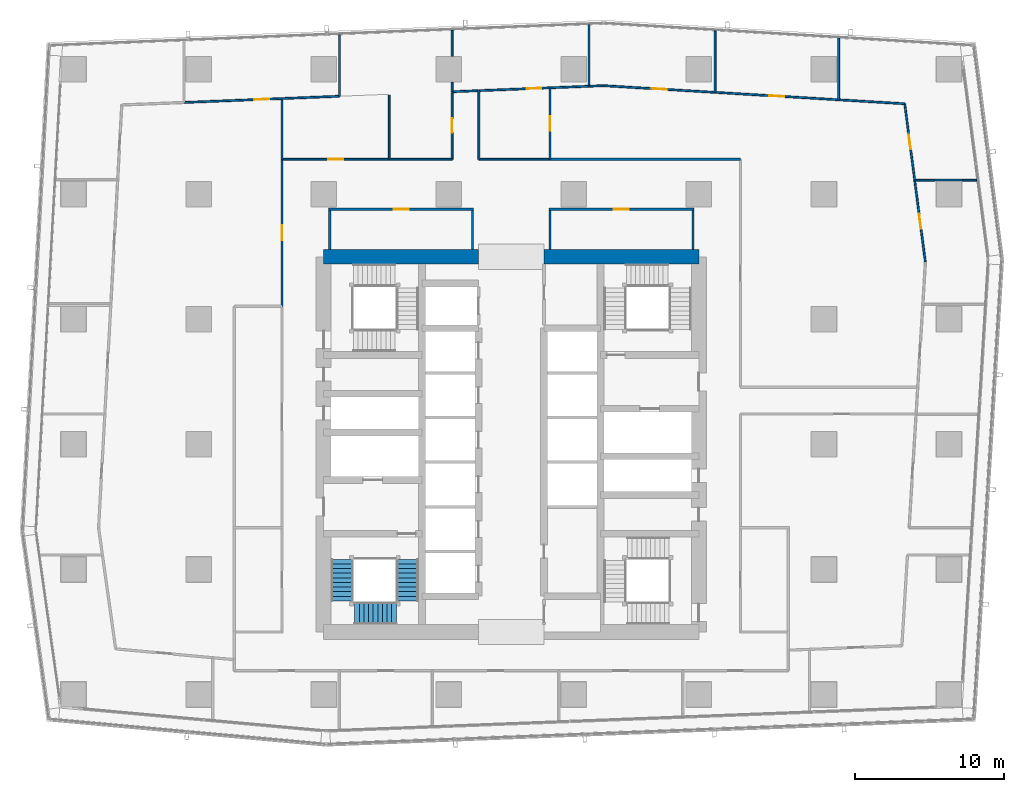
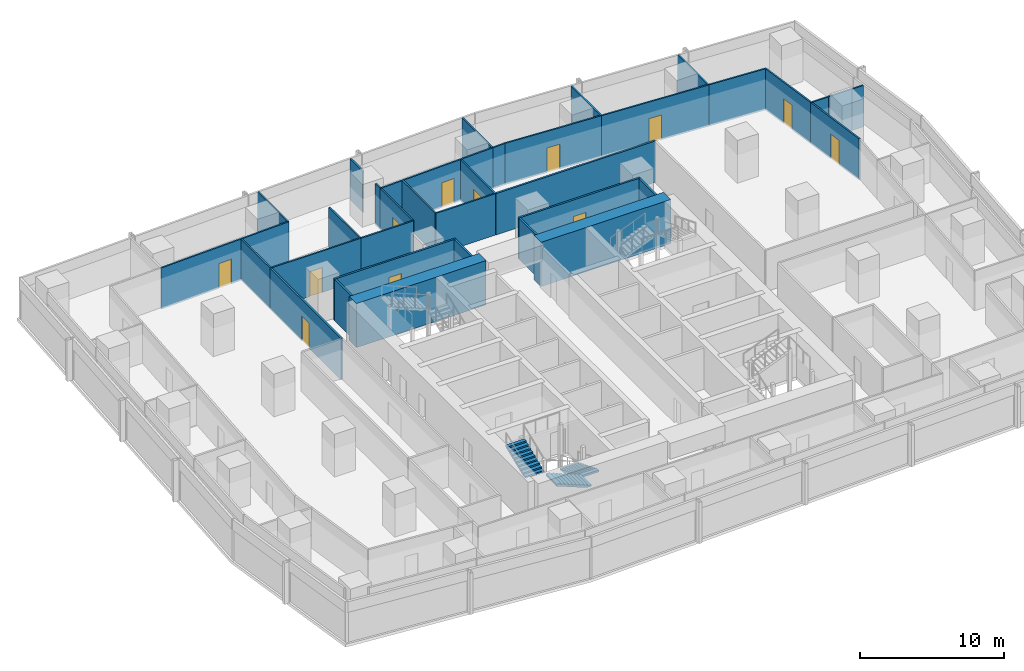
# One storey, part 31 of 40: 36 walls, 12 doors, 3 stair flights, 12 openings, 1 element without a shape of its own.
"""IFC4 building model written with IfcOpenShell, lengths in metres."""

from ifc_helpers import new_model, si_unit, direction, frame, frame_2d, origin, place, context, subcontext, project, spatial, polyline, rectangle, outline, extrude, material, layer, layer_set, type_object, element, fill, aggregate, save


model = new_model("IFC4")

# Units and contexts
model_context = context("Model", 3, precision=1e-05, world=origin(), true_north=direction((0.0, 1.0)))
body_context = subcontext(model_context, "Body", "Model", "MODEL_VIEW")
ifc_project = project(units=[si_unit("LENGTHUNIT", "METRE"), si_unit("AREAUNIT", "SQUARE_METRE"), si_unit("VOLUMEUNIT", "CUBIC_METRE"), si_unit("PLANEANGLEUNIT", "RADIAN"), si_unit("MASSUNIT", "GRAM", prefix="KILO")], contexts=[model_context])

# Site, building, storey
site_placement = place(None, origin())
site = spatial("IfcSite", under=ifc_project, at=site_placement, CompositionType="ELEMENT")
building_placement = place(site_placement, origin())
building = spatial("IfcBuilding", under=site, at=building_placement, Name="Rekha Terrace Tower", CompositionType="ELEMENT")
storey_placement = place(building_placement, frame((0.0, 0.0, 125.300048828125)))
storey = spatial("IfcBuildingStorey", under=building, at=storey_placement, Name="L31", CompositionType="ELEMENT", Elevation=125.300048828125)

# Walls
ifc_material_1 = material(Name="Concrete M70", Category="concrete")
ifc_layer_1 = layer(ifc_material_1, 1.0)
ifc_layer_set_1 = layer_set([ifc_layer_1], Name="Concrete M70")
wall_type_1 = type_object("IfcWallType", Name="SW2 1000 core outer shear wall", PredefinedType="SHEAR", material=ifc_layer_set_1)
wall_1_placement = place(storey_placement, frame((25.199951171875, 46.199951171875, 0.0), z_axis=(0.0, 0.0, 1.0), x_axis=(1.0, 0.0, 0.0)))
element("IfcWall", 1, at=wall_1_placement, inside=storey, type_object=wall_type_1, Name="Core wall N1 L31", PredefinedType="SHEAR", context=body_context, shape_type="SweptSolid", body=[
    extrude(rectangle(XDim=10.400146484375, YDim=1.0, at=frame_2d((5.2001953125, 0.0))), origin(), (0.0, 0.0, 1.0), 3.75),
])
wall_2_placement = place(storey_placement, frame((40.0, 46.199951171875, 0.0), z_axis=(0.0, 0.0, 1.0), x_axis=(1.0, 0.0, 0.0)))
element("IfcWall", 2, at=wall_2_placement, inside=storey, type_object=wall_type_1, Name="Core wall N2 L31", PredefinedType="SHEAR", context=body_context, shape_type="SweptSolid", body=[
    extrude(rectangle(XDim=10.39990234375, YDim=1.0, at=frame_2d((5.199951171875, 0.0))), origin(), (0.0, 0.0, 1.0), 3.75),
])

# Wall, opening, door
ifc_material_2 = material(Name="Concrete block masonry, 1 hour", Category="masonry")
ifc_layer_2 = layer(ifc_material_2, 0.14990234375)
ifc_layer_set_2 = layer_set([ifc_layer_2], Name="Concrete block masonry, 1 hour")
wall_type_2 = type_object("IfcWallType", Name="WP2 150 tenancy partition", PredefinedType="PARTITIONING", material=ifc_layer_set_2)
wall_3_placement = place(storey_placement, frame((40.324951171875, 49.39990234375, 0.0), z_axis=(0.0, 0.0, 1.0), x_axis=(1.0, 0.0, 0.0)))
wall_3 = element("IfcWall", 3, at=wall_3_placement, inside=storey, type_object=wall_type_2, Name="Women's WC wall L31", PredefinedType="PARTITIONING", context=body_context, shape_type="SweptSolid", body=[
    extrude(rectangle(XDim=9.75, YDim=0.14990234375, at=frame_2d((4.875, 0.0))), origin(), (0.0, 0.0, 1.0), 3.5),
])
opening_1_placement = place(wall_3_placement, frame((4.375, 0.0, 0.0)))
opening_1 = element("IfcOpeningElement", 4, at=opening_1_placement, cuts=wall_3, Name="Opening D3", PredefinedType="OPENING", context=body_context, shape_type="SweptSolid", body=[
    extrude(rectangle(XDim=1.0, YDim=2.10009765625, at=frame_2d((0.5, 1.050048828125))), frame((0.0, 0.0849609375, 0.0), z_axis=(0.0, -1.0, 0.0), x_axis=(1.0, 0.0, 0.0)), (0.0, 0.0, 1.0), 0.169921875),
])
ifc_material_3 = material(Name="Laminated timber fire door", Category="wood")
door_type_1 = type_object("IfcDoorType", Name="D3 1000x2100 WC door", OperationType="SINGLE_SWING_LEFT", PredefinedType="DOOR", material=ifc_material_3)
door_1_placement = place(opening_1_placement, origin())
door_1 = element("IfcDoor", 5, at=door_1_placement, inside=storey, type_object=door_type_1, Name="Door women's wc L31", OperationType="SINGLE_SWING_LEFT", OverallHeight=2.10009765625, OverallWidth=1.0, PredefinedType="DOOR", context=body_context, shape_type="SweptSolid", body=[
    extrude(rectangle(XDim=1.0, YDim=2.10009765625, at=frame_2d((0.5, 1.050048828125))), frame((0.0, 0.02490234375, 0.0), z_axis=(0.0, -1.0, 0.0), x_axis=(1.0, 0.0, 0.0)), (0.0, 0.0, 1.0), 0.050048828125),
])
fill(opening_1, door_1)

# Walls
for number, where, z_axis, x_axis, name in (
    (6, (40.39990234375, 46.699951171875, 0.0), (0.0, 0.0, 1.0), (0.0, 1.0, 0.0), "Women's WC wall L31"),
    (7, (50.0, 46.699951171875, 0.0), (0.0, 0.0, 1.0), (0.0, 1.0, 0.0), "Women's WC wall L31"),
):
    element("IfcWall", number, at=place(storey_placement, frame(where, z_axis=z_axis, x_axis=x_axis)), inside=storey, type_object=wall_type_2, Name=name, PredefinedType="PARTITIONING", context=body_context, shape_type="SweptSolid", body=[
        extrude(rectangle(XDim=2.625, YDim=0.14990234375, at=frame_2d((1.3125, 0.0))), origin(), (0.0, 0.0, 1.0), 3.5),
    ])

# Wall, opening, door
wall_4_placement = place(storey_placement, frame((25.52490234375, 49.39990234375, 0.0), z_axis=(0.0, 0.0, 1.0), x_axis=(1.0, 0.0, 0.0)))
wall_4 = element("IfcWall", 8, at=wall_4_placement, inside=storey, type_object=wall_type_2, Name="Women's WC wall L31", PredefinedType="PARTITIONING", context=body_context, shape_type="SweptSolid", body=[
    extrude(rectangle(XDim=9.75, YDim=0.14990234375, at=frame_2d((4.875, 0.0))), origin(), (0.0, 0.0, 1.0), 3.5),
])
opening_2_placement = place(wall_4_placement, frame((4.375, 0.0, 0.0)))
opening_2 = element("IfcOpeningElement", 9, at=opening_2_placement, cuts=wall_4, Name="Opening D3", PredefinedType="OPENING", context=body_context, shape_type="SweptSolid", body=[
    extrude(rectangle(XDim=1.0, YDim=2.10009765625, at=frame_2d((0.5, 1.050048828125))), frame((0.0, 0.0849609375, 0.0), z_axis=(0.0, -1.0, 0.0), x_axis=(1.0, 0.0, 0.0)), (0.0, 0.0, 1.0), 0.169921875),
])
door_2_placement = place(opening_2_placement, origin())
door_2 = element("IfcDoor", 10, at=door_2_placement, inside=storey, type_object=door_type_1, Name="Door women's wc L31", OperationType="SINGLE_SWING_LEFT", OverallHeight=2.10009765625, OverallWidth=1.0, PredefinedType="DOOR", context=body_context, shape_type="SweptSolid", body=[
    extrude(rectangle(XDim=1.0, YDim=2.10009765625, at=frame_2d((0.5, 1.050048828125))), frame((0.0, 0.02490234375, 0.0), z_axis=(0.0, -1.0, 0.0), x_axis=(1.0, 0.0, 0.0)), (0.0, 0.0, 1.0), 0.050048828125),
])
fill(opening_2, door_2)

# Walls
for number, where, z_axis, x_axis, name in (
    (11, (25.60009765625, 46.699951171875, 0.0), (0.0, 0.0, 1.0), (0.0, 1.0, 0.0), "Women's WC wall L31"),
    (12, (35.199951171875, 46.699951171875, 0.0), (0.0, 0.0, 1.0), (0.0, 1.0, 0.0), "Women's WC wall L31"),
):
    element("IfcWall", number, at=place(storey_placement, frame(where, z_axis=z_axis, x_axis=x_axis)), inside=storey, type_object=wall_type_2, Name=name, PredefinedType="PARTITIONING", context=body_context, shape_type="SweptSolid", body=[
        extrude(rectangle(XDim=2.625, YDim=0.14990234375, at=frame_2d((1.3125, 0.0))), origin(), (0.0, 0.0, 1.0), 3.5),
    ])
wall_5_placement = place(storey_placement, frame((66.260009765625, 51.35498046875, 0.0), z_axis=(0.0, 0.0, 1.0), x_axis=(1.0, 0.0, 0.0)))
element("IfcWall", 13, at=wall_5_placement, inside=storey, type_object=wall_type_2, Name="Partition L31-O1", PredefinedType="PARTITIONING", context=body_context, shape_type="SweptSolid", body=[
    extrude(rectangle(XDim=1.8798828125, YDim=0.14990234375, at=frame_2d((0.93994140625, 0.0))), origin(), (0.0, 0.0, 1.0), 3.5),
])
wall_6_placement = place(storey_placement, frame((53.199951171875, 52.75, 0.0), z_axis=(0.0, 0.0, 1.0), x_axis=(-1.0, 0.0, 0.0)))
element("IfcWall", 14, at=wall_6_placement, inside=storey, type_object=wall_type_2, Name="Partition L31-O1", PredefinedType="PARTITIONING", context=body_context, shape_type="SweptSolid", body=[
    extrude(rectangle(XDim=12.800048828125, YDim=0.14990234375, at=frame_2d((6.39990234375, 0.0))), origin(), (0.0, 0.0, 1.0), 3.5),
])

# Wall, opening, door
wall_7_placement = place(storey_placement, frame((22.39990234375, 52.75, 0.0), z_axis=(0.0, 0.0, 1.0), x_axis=(0.0, -1.0, 0.0)))
wall_7 = element("IfcWall", 15, at=wall_7_placement, inside=storey, type_object=wall_type_2, Name="Partition L31-O1c", PredefinedType="PARTITIONING", context=body_context, shape_type="SweptSolid", body=[
    extrude(rectangle(XDim=9.876953125, YDim=0.14990234375, at=frame_2d((4.9384765625, 0.0))), origin(), (0.0, 0.0, 1.0), 3.5),
])
opening_3_placement = place(wall_7_placement, frame((4.43896484375, 0.0, 0.0)))
opening_3 = element("IfcOpeningElement", 16, at=opening_3_placement, cuts=wall_7, Name="Opening D9", PredefinedType="OPENING", context=body_context, shape_type="SweptSolid", body=[
    extrude(rectangle(XDim=1.0, YDim=2.10009765625, at=frame_2d((0.5, 1.050048828125))), frame((0.0, 0.0849609375, 0.0), z_axis=(0.0, -1.0, 0.0), x_axis=(1.0, 0.0, 0.0)), (0.0, 0.0, 1.0), 0.169921875),
])
ifc_material_4 = material(Name="Timber fire door", Category="wood")
door_type_2 = type_object("IfcDoorType", Name="D9 1000x2100 office door", OperationType="SINGLE_SWING_LEFT", PredefinedType="DOOR", material=ifc_material_4)
door_3_placement = place(opening_3_placement, origin())
door_3 = element("IfcDoor", 17, at=door_3_placement, inside=storey, type_object=door_type_2, Name="Door open-plan office L31", OperationType="SINGLE_SWING_LEFT", OverallHeight=2.10009765625, OverallWidth=1.0, PredefinedType="DOOR", context=body_context, shape_type="SweptSolid", body=[
    extrude(rectangle(XDim=1.0, YDim=2.10009765625, at=frame_2d((0.5, 1.050048828125))), frame((0.0, 0.02490234375, 0.0), z_axis=(0.0, -1.0, 0.0), x_axis=(1.0, 0.0, 0.0)), (0.0, 0.0, 1.0), 0.050048828125),
])
fill(opening_3, door_3)

# Walls
ifc_material_5 = material(Name="Two layers of fire-rated gypsum board each side on steel studs, acoustic quilt, 1 hour", Category="steel")
ifc_layer_3 = layer(ifc_material_5, 0.125)
ifc_layer_set_3 = layer_set([ifc_layer_3], Name="Two layers of fire-rated gypsum board each side on steel studs, acoustic quilt, 1 hour")
wall_type_3 = type_object("IfcWallType", Name="WP3 125 office partition", PredefinedType="PARTITIONING", material=ifc_layer_set_3)
wall_8_placement = place(storey_placement, frame((64.902099609375, 51.337890625, 0.0), z_axis=(0.0, 0.0, 1.0), x_axis=(1.0, 0.0, 0.0)))
element("IfcWall", 18, at=wall_8_placement, inside=storey, type_object=wall_type_3, Name="Partition L31-04", PredefinedType="PARTITIONING", context=body_context, shape_type="SweptSolid", body=[
    extrude(rectangle(XDim=1.35791015625, YDim=0.125, at=frame_2d((0.678955078125, 0.0))), origin(), (0.0, 0.0, 1.0), 3.5),
])
wall_9_placement = place(storey_placement, frame((68.139892578125, 51.337890625, 0.0), z_axis=(0.0, 0.0, 1.0), x_axis=(1.0, 0.0, 0.0)))
element("IfcWall", 19, at=wall_9_placement, inside=storey, type_object=wall_type_3, Name="Partition L31-04", PredefinedType="PARTITIONING", context=body_context, shape_type="SweptSolid", body=[
    extrude(rectangle(XDim=0.9169921875, YDim=0.125, at=frame_2d((0.45849609375, 0.0))), origin(), (0.0, 0.0, 1.0), 3.5),
])

# Wall, opening, door
wall_10_placement = place(storey_placement, frame((65.618896484375, 45.827880859375, 0.0), z_axis=(0.0, 0.0, 1.0), x_axis=(-0.129002942223, 0.991644210843, 0.0)))
wall_10 = element("IfcWall", 20, at=wall_10_placement, inside=storey, type_object=wall_type_3, Name="Partition L31-04", PredefinedType="PARTITIONING", context=body_context, shape_type="SweptSolid", body=[
    extrude(rectangle(XDim=5.556396484375, YDim=0.125, at=frame_2d((2.7783203125, 0.0))), origin(), (0.0, 0.0, 1.0), 3.5),
])
opening_4_placement = place(wall_10_placement, frame((2.278076171875, 0.0, 0.0)))
opening_4 = element("IfcOpeningElement", 21, at=opening_4_placement, cuts=wall_10, Name="Opening D9", PredefinedType="OPENING", context=body_context, shape_type="SweptSolid", body=[
    extrude(rectangle(XDim=1.0, YDim=2.10009765625, at=frame_2d((0.5, 1.050048828125))), frame((0.0, 0.072509765625, 0.0), z_axis=(0.0, -1.0, 0.0), x_axis=(1.0, 0.0, 0.0)), (0.0, 0.0, 1.0), 0.14501953125),
])
door_4_placement = place(opening_4_placement, origin())
door_4 = element("IfcDoor", 22, at=door_4_placement, inside=storey, type_object=door_type_2, Name="Door office L31", OperationType="SINGLE_SWING_LEFT", OverallHeight=2.10009765625, OverallWidth=1.0, PredefinedType="DOOR", context=body_context, shape_type="SweptSolid", body=[
    extrude(rectangle(XDim=1.0, YDim=2.10009765625, at=frame_2d((0.5, 1.050048828125))), frame((0.0, 0.02490234375, 0.0), z_axis=(0.0, -1.0, 0.0), x_axis=(1.0, 0.0, 0.0)), (0.0, 0.0, 1.0), 0.050048828125),
])
fill(opening_4, door_4)

# Wall
wall_11_placement = place(storey_placement, frame((59.7880859375, 56.74609375, 0.0), z_axis=(0.0, 0.0, 1.0), x_axis=(0.0, 1.0, 0.0)))
element("IfcWall", 23, at=wall_11_placement, inside=storey, type_object=wall_type_3, Name="Partition L31-05", PredefinedType="PARTITIONING", context=body_context, shape_type="SweptSolid", body=[
    extrude(rectangle(XDim=4.156982421875, YDim=0.125, at=frame_2d((2.07861328125, 0.0))), origin(), (0.0, 0.0, 1.0), 3.5),
])

# Wall, opening, door
wall_12_placement = place(storey_placement, frame((64.902099609375, 51.339111328125, 0.0), z_axis=(0.0, 0.0, 1.0), x_axis=(-0.129290857756, 0.991606713421, 0.0)))
wall_12 = element("IfcWall", 24, at=wall_12_placement, inside=storey, type_object=wall_type_3, Name="Partition L31-05", PredefinedType="PARTITIONING", context=body_context, shape_type="SweptSolid", body=[
    extrude(rectangle(XDim=5.183349609375, YDim=0.125, at=frame_2d((2.591796875, 0.0))), origin(), (0.0, 0.0, 1.0), 3.5),
])
opening_5_placement = place(wall_12_placement, frame((2.092041015625, 0.0, 0.0)))
opening_5 = element("IfcOpeningElement", 25, at=opening_5_placement, cuts=wall_12, Name="Opening D9", PredefinedType="OPENING", context=body_context, shape_type="SweptSolid", body=[
    extrude(rectangle(XDim=1.0, YDim=2.10009765625, at=frame_2d((0.5, 1.050048828125))), frame((0.0, 0.072509765625, 0.0), z_axis=(0.0, -1.0, 0.0), x_axis=(1.0, 0.0, 0.0)), (0.0, 0.0, 1.0), 0.14501953125),
])
door_5_placement = place(opening_5_placement, origin())
door_5 = element("IfcDoor", 26, at=door_5_placement, inside=storey, type_object=door_type_2, Name="Door director's office L31", OperationType="SINGLE_SWING_LEFT", OverallHeight=2.10009765625, OverallWidth=1.0, PredefinedType="DOOR", context=body_context, shape_type="SweptSolid", body=[
    extrude(rectangle(XDim=1.0, YDim=2.10009765625, at=frame_2d((0.5, 1.050048828125))), frame((0.0, 0.02490234375, 0.0), z_axis=(0.0, -1.0, 0.0), x_axis=(1.0, 0.0, 0.0)), (0.0, 0.0, 1.0), 0.050048828125),
])
fill(opening_5, door_5)

# Wall
wall_13_placement = place(storey_placement, frame((64.23193359375, 56.47900390625, 0.0), z_axis=(0.0, 0.0, 1.0), x_axis=(-0.998198676411, 0.059995019888, 0.0)))
element("IfcWall", 27, at=wall_13_placement, inside=storey, type_object=wall_type_3, Name="Partition L31-05", PredefinedType="PARTITIONING", context=body_context, shape_type="SweptSolid", body=[
    extrude(rectangle(XDim=4.451904296875, YDim=0.125, at=frame_2d((2.22607421875, 0.0))), origin(), (0.0, 0.0, 1.0), 3.5),
])

# Wall, opening, door
wall_14_placement = place(storey_placement, frame((59.787109375, 56.74609375, 0.0), z_axis=(0.0, 0.0, 1.0), x_axis=(-0.99820280668, 0.05992626083, 0.0)))
wall_14 = element("IfcWall", 28, at=wall_14_placement, inside=storey, type_object=wall_type_3, Name="Partition L31-06", PredefinedType="PARTITIONING", context=body_context, shape_type="SweptSolid", body=[
    extrude(rectangle(XDim=8.306884765625, YDim=0.125, at=frame_2d((4.1533203125, 0.0))), origin(), (0.0, 0.0, 1.0), 3.5),
])
opening_6_placement = place(wall_14_placement, frame((3.653076171875, 0.0, 0.0)))
opening_6 = element("IfcOpeningElement", 29, at=opening_6_placement, cuts=wall_14, Name="Opening D9", PredefinedType="OPENING", context=body_context, shape_type="SweptSolid", body=[
    extrude(rectangle(XDim=1.0, YDim=2.10009765625, at=frame_2d((0.5, 1.050048828125))), frame((0.0, 0.072509765625, 0.0), z_axis=(0.0, -1.0, 0.0), x_axis=(1.0, 0.0, 0.0)), (0.0, 0.0, 1.0), 0.14501953125),
])
door_6_placement = place(opening_6_placement, origin())
door_6 = element("IfcDoor", 30, at=door_6_placement, inside=storey, type_object=door_type_2, Name="Door office L31", OperationType="SINGLE_SWING_LEFT", OverallHeight=2.10009765625, OverallWidth=1.0, PredefinedType="DOOR", context=body_context, shape_type="SweptSolid", body=[
    extrude(rectangle(XDim=1.0, YDim=2.10009765625, at=frame_2d((0.5, 1.050048828125))), frame((0.0, 0.02490234375, 0.0), z_axis=(0.0, -1.0, 0.0), x_axis=(1.0, 0.0, 0.0)), (0.0, 0.0, 1.0), 0.050048828125),
])
fill(opening_6, door_6)

# Walls
wall_15_placement = place(storey_placement, frame((51.4951171875, 57.243896484375, 0.0), z_axis=(0.0, 0.0, 1.0), x_axis=(0.0, 1.0, 0.0)))
element("IfcWall", 31, at=wall_15_placement, inside=storey, type_object=wall_type_3, Name="Partition L31-06", PredefinedType="PARTITIONING", context=body_context, shape_type="SweptSolid", body=[
    extrude(rectangle(XDim=4.128173828125, YDim=0.125, at=frame_2d((2.06396484375, 0.0))), origin(), (0.0, 0.0, 1.0), 3.5),
])
wall_16_placement = place(storey_placement, frame((43.02392578125, 57.656005859375, 0.0), z_axis=(0.0, 0.0, 1.0), x_axis=(0.0, 1.0, 0.0)))
element("IfcWall", 32, at=wall_16_placement, inside=storey, type_object=wall_type_3, Name="Partition L31-07", PredefinedType="PARTITIONING", context=body_context, shape_type="SweptSolid", body=[
    extrude(rectangle(XDim=4.153076171875, YDim=0.125, at=frame_2d((2.07666015625, 0.0))), origin(), (0.0, 0.0, 1.0), 3.5),
])

# Wall, opening, door
wall_17_placement = place(storey_placement, frame((51.493896484375, 57.243896484375, 0.0), z_axis=(0.0, 0.0, 1.0), x_axis=(-0.998194453933, 0.060065232355, 0.0)))
wall_17 = element("IfcWall", 33, at=wall_17_placement, inside=storey, type_object=wall_type_3, Name="Partition L31-07", PredefinedType="PARTITIONING", context=body_context, shape_type="SweptSolid", body=[
    extrude(rectangle(XDim=7.511474609375, YDim=0.125, at=frame_2d((3.755859375, 0.0))), origin(), (0.0, 0.0, 1.0), 3.5),
])
opening_7_placement = place(wall_17_placement, frame((3.256103515625, 0.0, 0.0)))
opening_7 = element("IfcOpeningElement", 34, at=opening_7_placement, cuts=wall_17, Name="Opening D9", PredefinedType="OPENING", context=body_context, shape_type="SweptSolid", body=[
    extrude(rectangle(XDim=1.0, YDim=2.10009765625, at=frame_2d((0.5, 1.050048828125))), frame((0.0, 0.072509765625, 0.0), z_axis=(0.0, -1.0, 0.0), x_axis=(1.0, 0.0, 0.0)), (0.0, 0.0, 1.0), 0.14501953125),
])
door_7_placement = place(opening_7_placement, origin())
door_7 = element("IfcDoor", 35, at=door_7_placement, inside=storey, type_object=door_type_2, Name="Door office L31", OperationType="SINGLE_SWING_LEFT", OverallHeight=2.10009765625, OverallWidth=1.0, PredefinedType="DOOR", context=body_context, shape_type="SweptSolid", body=[
    extrude(rectangle(XDim=1.0, YDim=2.10009765625, at=frame_2d((0.5, 1.050048828125))), frame((0.0, 0.02490234375, 0.0), z_axis=(0.0, -1.0, 0.0), x_axis=(1.0, 0.0, 0.0)), (0.0, 0.0, 1.0), 0.050048828125),
])
fill(opening_7, door_7)

# Walls
wall_18_placement = place(storey_placement, frame((43.99609375, 57.695068359375, 0.0), z_axis=(0.0, 0.0, 1.0), x_axis=(-0.99919372727, -0.040148416967, 0.0)))
element("IfcWall", 36, at=wall_18_placement, inside=storey, type_object=wall_type_3, Name="Partition L31-07", PredefinedType="PARTITIONING", context=body_context, shape_type="SweptSolid", body=[
    extrude(rectangle(XDim=0.972900390625, YDim=0.125, at=frame_2d((0.486328125, 0.0))), origin(), (0.0, 0.0, 1.0), 3.5),
])
wall_19_placement = place(storey_placement, frame((35.56298828125, 57.35693359375, 0.0), z_axis=(0.0, 0.0, 1.0), x_axis=(-0.999191272238, -0.04020947008, 0.0)))
element("IfcWall", 37, at=wall_19_placement, inside=storey, type_object=wall_type_3, Name="Partition L31-08", PredefinedType="PARTITIONING", context=body_context, shape_type="SweptSolid", body=[
    extrude(rectangle(XDim=1.736572265625, YDim=0.125, at=frame_2d((0.8681640625, 0.0))), origin(), (0.0, 0.0, 1.0), 3.5),
])
wall_20_placement = place(storey_placement, frame((33.827880859375, 57.287109375, 0.0), z_axis=(0.0, 0.0, 1.0), x_axis=(0.0, 1.0, 0.0)))
element("IfcWall", 38, at=wall_20_placement, inside=storey, type_object=wall_type_3, Name="Partition L31-08", PredefinedType="PARTITIONING", context=body_context, shape_type="SweptSolid", body=[
    extrude(rectangle(XDim=0.642822265625, YDim=0.125, at=frame_2d((0.3212890625, 0.0))), origin(), (0.0, 0.0, 1.0), 3.5),
])
wall_21_placement = place(storey_placement, frame((33.827880859375, 59.669921875, 0.0), z_axis=(0.0, 0.0, 1.0), x_axis=(0.0, 1.0, 0.0)))
element("IfcWall", 39, at=wall_21_placement, inside=storey, type_object=wall_type_3, Name="Partition L31-08", PredefinedType="PARTITIONING", context=body_context, shape_type="SweptSolid", body=[
    extrude(rectangle(XDim=1.740966796875, YDim=0.125, at=frame_2d((0.87060546875, 0.0))), origin(), (0.0, 0.0, 1.0), 3.5),
])

# Wall, opening, door
wall_22_placement = place(storey_placement, frame((43.02294921875, 57.656005859375, 0.0), z_axis=(0.0, 0.0, 1.0), x_axis=(-0.999200853354, -0.039970672462, 0.0)))
wall_22 = element("IfcWall", 40, at=wall_22_placement, inside=storey, type_object=wall_type_3, Name="Partition L31-08", PredefinedType="PARTITIONING", context=body_context, shape_type="SweptSolid", body=[
    extrude(rectangle(XDim=7.40283203125, YDim=0.125, at=frame_2d((3.701416015625, 0.0))), origin(), (0.0, 0.0, 1.0), 3.5),
])
opening_8_placement = place(wall_22_placement, frame((3.200927734375, 0.0, 0.0)))
opening_8 = element("IfcOpeningElement", 41, at=opening_8_placement, cuts=wall_22, Name="Opening D9", PredefinedType="OPENING", context=body_context, shape_type="SweptSolid", body=[
    extrude(rectangle(XDim=1.0, YDim=2.10009765625, at=frame_2d((0.5, 1.050048828125))), frame((0.0, 0.072509765625, 0.0), z_axis=(0.0, -1.0, 0.0), x_axis=(1.0, 0.0, 0.0)), (0.0, 0.0, 1.0), 0.14501953125),
])
door_8_placement = place(opening_8_placement, origin())
door_8 = element("IfcDoor", 42, at=door_8_placement, inside=storey, type_object=door_type_2, Name="Door office L31", OperationType="SINGLE_SWING_LEFT", OverallHeight=2.10009765625, OverallWidth=1.0, PredefinedType="DOOR", context=body_context, shape_type="SweptSolid", body=[
    extrude(rectangle(XDim=1.0, YDim=2.10009765625, at=frame_2d((0.5, 1.050048828125))), frame((0.0, 0.02490234375, 0.0), z_axis=(0.0, -1.0, 0.0), x_axis=(1.0, 0.0, 0.0)), (0.0, 0.0, 1.0), 0.050048828125),
])
fill(opening_8, door_8)

# Wall
wall_23_placement = place(storey_placement, frame((26.258056640625, 56.98388671875, 0.0), z_axis=(0.0, 0.0, 1.0), x_axis=(0.0, 1.0, 0.0)))
element("IfcWall", 43, at=wall_23_placement, inside=storey, type_object=wall_type_3, Name="Partition L31-09", PredefinedType="PARTITIONING", context=body_context, shape_type="SweptSolid", body=[
    extrude(rectangle(XDim=4.153076171875, YDim=0.125, at=frame_2d((2.07666015625, 0.0))), origin(), (0.0, 0.0, 1.0), 3.5),
])

# Wall, opening, door
wall_24_placement = place(storey_placement, frame((26.257080078125, 56.98388671875, 0.0), z_axis=(0.0, 0.0, 1.0), x_axis=(-0.999199876108, -0.039995094524, 0.0)))
wall_24 = element("IfcWall", 44, at=wall_24_placement, inside=storey, type_object=wall_type_3, Name="Partition L31-10", PredefinedType="PARTITIONING", context=body_context, shape_type="SweptSolid", body=[
    extrude(rectangle(XDim=10.450439453125, YDim=0.125, at=frame_2d((5.22509765625, 0.0))), origin(), (0.0, 0.0, 1.0), 3.5),
])
opening_9_placement = place(wall_24_placement, frame((4.72509765625, 0.0, 0.0)))
opening_9 = element("IfcOpeningElement", 45, at=opening_9_placement, cuts=wall_24, Name="Opening D9", PredefinedType="OPENING", context=body_context, shape_type="SweptSolid", body=[
    extrude(rectangle(XDim=1.0, YDim=2.10009765625, at=frame_2d((0.5, 1.050048828125))), frame((0.0, 0.072509765625, 0.0), z_axis=(0.0, -1.0, 0.0), x_axis=(1.0, 0.0, 0.0)), (0.0, 0.0, 1.0), 0.14501953125),
])
door_9_placement = place(opening_9_placement, origin())
door_9 = element("IfcDoor", 46, at=door_9_placement, inside=storey, type_object=door_type_2, Name="Door office L31", OperationType="SINGLE_SWING_LEFT", OverallHeight=2.10009765625, OverallWidth=1.0, PredefinedType="DOOR", context=body_context, shape_type="SweptSolid", body=[
    extrude(rectangle(XDim=1.0, YDim=2.10009765625, at=frame_2d((0.5, 1.050048828125))), frame((0.0, 0.02490234375, 0.0), z_axis=(0.0, -1.0, 0.0), x_axis=(1.0, 0.0, 0.0)), (0.0, 0.0, 1.0), 0.050048828125),
])
fill(opening_9, door_9)

# Wall
wall_25_placement = place(storey_placement, frame((29.60009765625, 57.054931640625, 0.0), z_axis=(0.0, 0.0, 1.0), x_axis=(0.0, -1.0, 0.0)))
element("IfcWall", 47, at=wall_25_placement, inside=storey, type_object=wall_type_3, Name="Partition L31-13", PredefinedType="PARTITIONING", context=body_context, shape_type="SweptSolid", body=[
    extrude(rectangle(XDim=4.304931640625, YDim=0.125, at=frame_2d((2.15234375, 0.0))), origin(), (0.0, 0.0, 1.0), 3.5),
])

# Wall, opening, door
wall_26_placement = place(storey_placement, frame((29.60009765625, 52.75, 0.0), z_axis=(0.0, 0.0, 1.0), x_axis=(-1.0, 0.0, 0.0)))
wall_26 = element("IfcWall", 48, at=wall_26_placement, inside=storey, type_object=wall_type_3, Name="Partition L31-13", PredefinedType="PARTITIONING", context=body_context, shape_type="SweptSolid", body=[
    extrude(rectangle(XDim=7.2001953125, YDim=0.125, at=frame_2d((3.60009765625, 0.0))), origin(), (0.0, 0.0, 1.0), 3.5),
])
opening_10_placement = place(wall_26_placement, frame((3.10009765625, 0.0, 0.0)))
opening_10 = element("IfcOpeningElement", 49, at=opening_10_placement, cuts=wall_26, Name="Opening D9", PredefinedType="OPENING", context=body_context, shape_type="SweptSolid", body=[
    extrude(rectangle(XDim=1.0, YDim=2.10009765625, at=frame_2d((0.5, 1.050048828125))), frame((0.0, 0.072509765625, 0.0), z_axis=(0.0, -1.0, 0.0), x_axis=(1.0, 0.0, 0.0)), (0.0, 0.0, 1.0), 0.14501953125),
])
door_10_placement = place(opening_10_placement, origin())
door_10 = element("IfcDoor", 50, at=door_10_placement, inside=storey, type_object=door_type_2, Name="Door reception L31", OperationType="SINGLE_SWING_LEFT", OverallHeight=2.10009765625, OverallWidth=1.0, PredefinedType="DOOR", context=body_context, shape_type="SweptSolid", body=[
    extrude(rectangle(XDim=1.0, YDim=2.10009765625, at=frame_2d((0.5, 1.050048828125))), frame((0.0, 0.02490234375, 0.0), z_axis=(0.0, -1.0, 0.0), x_axis=(1.0, 0.0, 0.0)), (0.0, 0.0, 1.0), 0.050048828125),
])
fill(opening_10, door_10)

# Wall
wall_27_placement = place(storey_placement, frame((22.39990234375, 52.75, 0.0), z_axis=(0.0, 0.0, 1.0), x_axis=(0.0, 1.0, 0.0)))
element("IfcWall", 51, at=wall_27_placement, inside=storey, type_object=wall_type_3, Name="Partition L31-13", PredefinedType="PARTITIONING", context=body_context, shape_type="SweptSolid", body=[
    extrude(rectangle(XDim=4.01708984375, YDim=0.125, at=frame_2d((2.008544921875, 0.0))), origin(), (0.0, 0.0, 1.0), 3.5),
])

# Wall, opening, door
wall_28_placement = place(storey_placement, frame((33.825927734375, 57.22412109375, 0.0), z_axis=(0.0, 0.0, 1.0), x_axis=(0.0, -1.0, 0.0)))
wall_28 = element("IfcWall", 52, at=wall_28_placement, inside=storey, type_object=wall_type_3, Name="Partition L31-14", PredefinedType="PARTITIONING", context=body_context, shape_type="SweptSolid", body=[
    extrude(rectangle(XDim=4.47412109375, YDim=0.125, at=frame_2d((2.237060546875, 0.0))), origin(), (0.0, 0.0, 1.0), 3.5),
])
opening_11_placement = place(wall_28_placement, frame((1.705078125, 0.0, 0.0)))
opening_11 = element("IfcOpeningElement", 53, at=opening_11_placement, cuts=wall_28, Name="Opening D9", PredefinedType="OPENING", context=body_context, shape_type="SweptSolid", body=[
    extrude(rectangle(XDim=1.0, YDim=2.10009765625, at=frame_2d((0.5, 1.050048828125))), frame((0.0, 0.072509765625, 0.0), z_axis=(0.0, -1.0, 0.0), x_axis=(1.0, 0.0, 0.0)), (0.0, 0.0, 1.0), 0.14501953125),
])
door_11_placement = place(opening_11_placement, origin())
door_11 = element("IfcDoor", 54, at=door_11_placement, inside=storey, type_object=door_type_2, Name="Door prayer room L31", OperationType="SINGLE_SWING_LEFT", OverallHeight=2.10009765625, OverallWidth=1.0, PredefinedType="DOOR", context=body_context, shape_type="SweptSolid", body=[
    extrude(rectangle(XDim=1.0, YDim=2.10009765625, at=frame_2d((0.5, 1.050048828125))), frame((0.0, 0.02490234375, 0.0), z_axis=(0.0, -1.0, 0.0), x_axis=(1.0, 0.0, 0.0)), (0.0, 0.0, 1.0), 0.050048828125),
])
fill(opening_11, door_11)

# Wall
wall_29_placement = place(storey_placement, frame((33.825927734375, 52.75, 0.0), z_axis=(0.0, 0.0, 1.0), x_axis=(-1.0, 0.0, 0.0)))
element("IfcWall", 55, at=wall_29_placement, inside=storey, type_object=wall_type_3, Name="Partition L31-14", PredefinedType="PARTITIONING", context=body_context, shape_type="SweptSolid", body=[
    extrude(rectangle(XDim=4.225830078125, YDim=0.125, at=frame_2d((2.11279296875, 0.0))), origin(), (0.0, 0.0, 1.0), 3.5),
])

# Wall, opening, door
wall_30_placement = place(storey_placement, frame((40.39990234375, 57.488037109375, 0.0), z_axis=(0.0, 0.0, 1.0), x_axis=(0.0, -1.0, 0.0)))
wall_30 = element("IfcWall", 56, at=wall_30_placement, inside=storey, type_object=wall_type_3, Name="Partition L31-15", PredefinedType="PARTITIONING", context=body_context, shape_type="SweptSolid", body=[
    extrude(rectangle(XDim=4.738037109375, YDim=0.125, at=frame_2d((2.369140625, 0.0))), origin(), (0.0, 0.0, 1.0), 3.5),
])
opening_12_placement = place(wall_30_placement, frame((1.837890625, 0.0, 0.0)))
opening_12 = element("IfcOpeningElement", 57, at=opening_12_placement, cuts=wall_30, Name="Opening D9", PredefinedType="OPENING", context=body_context, shape_type="SweptSolid", body=[
    extrude(rectangle(XDim=1.0, YDim=2.10009765625, at=frame_2d((0.5, 1.050048828125))), frame((0.0, 0.072509765625, 0.0), z_axis=(0.0, -1.0, 0.0), x_axis=(1.0, 0.0, 0.0)), (0.0, 0.0, 1.0), 0.14501953125),
])
door_12_placement = place(opening_12_placement, origin())
door_12 = element("IfcDoor", 58, at=door_12_placement, inside=storey, type_object=door_type_2, Name="Door meeting room L31", OperationType="SINGLE_SWING_LEFT", OverallHeight=2.10009765625, OverallWidth=1.0, PredefinedType="DOOR", context=body_context, shape_type="SweptSolid", body=[
    extrude(rectangle(XDim=1.0, YDim=2.10009765625, at=frame_2d((0.5, 1.050048828125))), frame((0.0, 0.02490234375, 0.0), z_axis=(0.0, -1.0, 0.0), x_axis=(1.0, 0.0, 0.0)), (0.0, 0.0, 1.0), 0.050048828125),
])
fill(opening_12, door_12)

# Walls
wall_31_placement = place(storey_placement, frame((40.39990234375, 52.75, 0.0), z_axis=(0.0, 0.0, 1.0), x_axis=(-1.0, 0.0, 0.0)))
element("IfcWall", 59, at=wall_31_placement, inside=storey, type_object=wall_type_3, Name="Partition L31-15", PredefinedType="PARTITIONING", context=body_context, shape_type="SweptSolid", body=[
    extrude(rectangle(XDim=4.77392578125, YDim=0.125, at=frame_2d((2.386962890625, 0.0))), origin(), (0.0, 0.0, 1.0), 3.5),
])
wall_32_placement = place(storey_placement, frame((35.6259765625, 52.75, 0.0), z_axis=(0.0, 0.0, 1.0), x_axis=(0.0, 1.0, 0.0)))
element("IfcWall", 60, at=wall_32_placement, inside=storey, type_object=wall_type_3, Name="Partition L31-15", PredefinedType="PARTITIONING", context=body_context, shape_type="SweptSolid", body=[
    extrude(rectangle(XDim=4.610107421875, YDim=0.125, at=frame_2d((2.30517578125, 0.0))), origin(), (0.0, 0.0, 1.0), 3.5),
])

# Stair, stair flights
ifc_material_6 = material(Name="Concrete M40", Category="concrete")
stair_type = type_object("IfcStairType", Name="ST30 stair, 30 risers of 125, going 310, 1500 wide flights, 3 flights", PredefinedType="HALF_TURN_STAIR", material=ifc_material_6)
stair_placement = place(storey_placement, origin())
stair = element("IfcStair", 61, at=stair_placement, inside=storey, type_object=stair_type, Name="Stair ST1 L31 to L32", PredefinedType="HALF_TURN_STAIR")
stair_flight_type = type_object("IfcStairFlightType", Name="SF10 stair flight, 10 risers of 125, going 310, 1500 wide", PredefinedType="STRAIGHT", material=ifc_material_6)
stair_flight_1_placement = place(storey_placement, frame((30.824951171875, 25.875, 0.0), z_axis=(0.0, 0.0, 1.0), x_axis=(0.0, -1.0, 0.0)))
stair_flight_1 = element("IfcStairFlight", 62, at=stair_flight_1_placement, type_object=stair_flight_type, Name="ST1 flight 1", NumberOfRisers=10, NumberOfTreads=9, PredefinedType="STRAIGHT", RiserHeight=0.125, TreadLength=0.31, context=body_context, shape_type="SweptSolid", body=[
    extrude(outline(polyline([(0.0, 0.0), (0.0, 0.125), (0.31005859375, 0.125), (0.31005859375, 0.25), (0.6201171875, 0.25), (0.6201171875, 0.375), (0.929931640625, 0.375), (0.929931640625, 0.5), (1.239990234375, 0.5), (1.239990234375, 0.625), (1.550048828125, 0.625), (1.550048828125, 0.75), (1.860107421875, 0.75), (1.860107421875, 0.875), (2.169921875, 0.875), (2.169921875, 1.0), (2.47998046875, 1.0), (2.47998046875, 1.125), (2.7900390625, 1.125), (2.7900390625, 1.25), (2.7900390625, 0.96337890625), (0.40087890625, 0.0), (0.0, 0.0)])), frame((0.0, 0.75, 0.0), z_axis=(0.0, -1.0, 0.0), x_axis=(1.0, 0.0, 0.0)), (0.0, 0.0, 1.0), 1.5),
])
stair_flight_2_placement = place(storey_placement, frame((30.074951171875, 22.25, 1.25), z_axis=(0.0, 0.0, 1.0), x_axis=(-1.0, 0.0, 0.0)))
stair_flight_2 = element("IfcStairFlight", 63, at=stair_flight_2_placement, type_object=stair_flight_type, Name="ST1 flight 2", NumberOfRisers=10, NumberOfTreads=9, PredefinedType="STRAIGHT", RiserHeight=0.125, TreadLength=0.31, context=body_context, shape_type="SweptSolid", body=[
    extrude(outline(polyline([(0.0, 0.0), (0.0, 0.125), (0.31005859375, 0.125), (0.31005859375, 0.25), (0.6201171875, 0.25), (0.6201171875, 0.375), (0.929931640625, 0.375), (0.929931640625, 0.5), (1.239990234375, 0.5), (1.239990234375, 0.625), (1.550048828125, 0.625), (1.550048828125, 0.75), (1.860107421875, 0.75), (1.860107421875, 0.875), (2.169921875, 0.875), (2.169921875, 1.0), (2.47998046875, 1.0), (2.47998046875, 1.125), (2.7900390625, 1.125), (2.7900390625, 1.25), (2.7900390625, 0.96337890625), (0.40087890625, 0.0), (0.0, 0.0)])), frame((0.0, 0.75, 0.0), z_axis=(0.0, -1.0, 0.0), x_axis=(1.0, 0.0, 0.0)), (0.0, 0.0, 1.0), 1.5),
])
stair_flight_3_placement = place(storey_placement, frame((26.449951171875, 23.0849609375, 2.5), z_axis=(0.0, 0.0, 1.0), x_axis=(0.0, 1.0, 0.0)))
stair_flight_3 = element("IfcStairFlight", 64, at=stair_flight_3_placement, type_object=stair_flight_type, Name="ST1 flight 3", NumberOfRisers=10, NumberOfTreads=9, PredefinedType="STRAIGHT", RiserHeight=0.125, TreadLength=0.31, context=body_context, shape_type="SweptSolid", body=[
    extrude(outline(polyline([(0.0, 0.0), (0.0, 0.125), (0.31005859375, 0.125), (0.31005859375, 0.25), (0.6201171875, 0.25), (0.6201171875, 0.375), (0.929931640625, 0.375), (0.929931640625, 0.5), (1.239990234375, 0.5), (1.239990234375, 0.625), (1.550048828125, 0.625), (1.550048828125, 0.75), (1.860107421875, 0.75), (1.860107421875, 0.875), (2.169921875, 0.875), (2.169921875, 1.0), (2.47998046875, 1.0), (2.47998046875, 1.125), (2.7900390625, 1.125), (2.7900390625, 1.25), (2.7900390625, 0.96337890625), (0.40087890625, 0.0), (0.0, 0.0)])), frame((0.0, 0.75, 0.0), z_axis=(0.0, -1.0, 0.0), x_axis=(1.0, 0.0, 0.0)), (0.0, 0.0, 1.0), 1.5),
])
aggregate(stair, [stair_flight_1, stair_flight_2, stair_flight_3])

save(model, "model.ifc")
